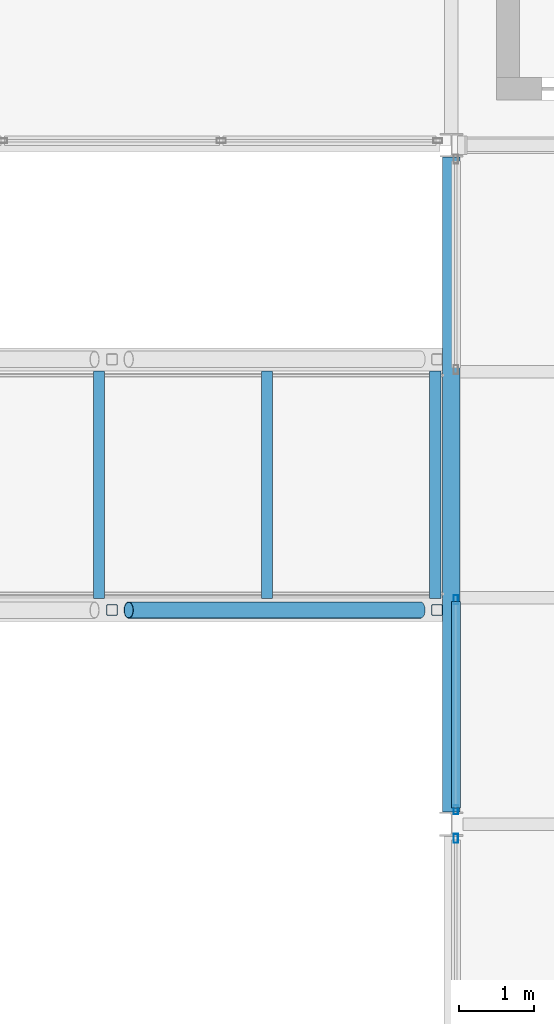
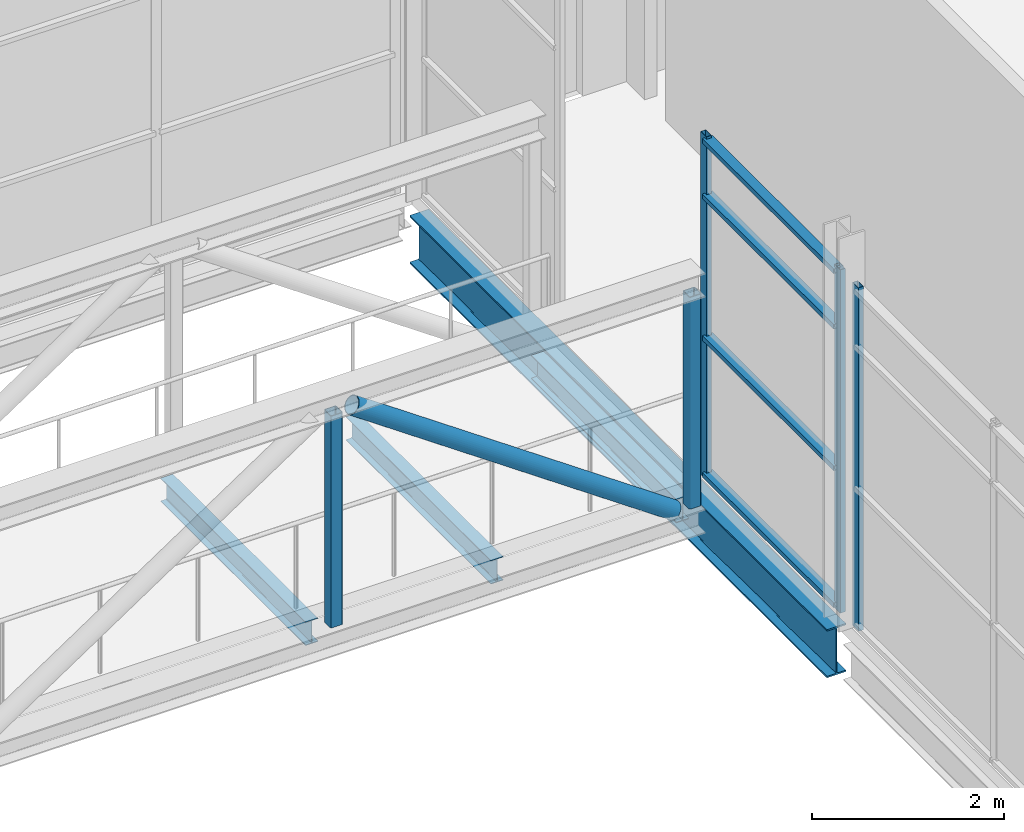
# One storey, part 49 of 94: 10 members, 4 beams, 2 elements without a shape of their own.
"""IFC4 building model written with IfcOpenShell, lengths in metres."""

from ifc_helpers import new_model, si_unit, direction, frame, origin, origin_2d, place, context, subcontext, project, spatial, hollow_rectangle, hollow_circle, i_section, extrude, material, layer, layer_set, material_profile, profile_set, type_object, element, aggregate, save


model = new_model("IFC4")

# Units and contexts
model_context = context("Model", 3, precision=1e-05, world=origin(), true_north=direction((0.0, 1.0)))
body_context = subcontext(model_context, "Body", "Model", "MODEL_VIEW")
ifc_project = project(units=[si_unit("LENGTHUNIT", "METRE"), si_unit("AREAUNIT", "SQUARE_METRE"), si_unit("VOLUMEUNIT", "CUBIC_METRE"), si_unit("PLANEANGLEUNIT", "RADIAN"), si_unit("MASSUNIT", "GRAM", prefix="KILO")], contexts=[model_context])

# Site, building, storey
site_placement = place(None, origin())
site = spatial("IfcSite", under=ifc_project, at=site_placement, CompositionType="ELEMENT")
building_placement = place(site_placement, origin())
building = spatial("IfcBuilding", under=site, at=building_placement, Name="Shorebreak Coast Museum", CompositionType="ELEMENT")
storey_placement = place(building_placement, frame((0.0, 0.0, 31.0)))
storey = spatial("IfcBuildingStorey", under=building, at=storey_placement, Name="L05", CompositionType="ELEMENT", Elevation=31.0)

# Beams
ifc_material_1 = material(Name="Steel Grade 300", Category="steel")
ifc_material_profile_1 = material_profile(ifc_material_1, i_section(OverallWidth=0.14892578125, OverallDepth=0.298095703125, WebThickness=0.005615234375, FlangeThickness=0.008056640625, FilletRadius=0.012939453125, at=origin_2d()), Name="310UB32.0")
ifc_profile_set_1 = profile_set([ifc_material_profile_1], Name="Steel Grade 300")
beam_type_1 = type_object("IfcBeamType", Name="Atrium bridge cross beam 310UB32.0", PredefinedType="BEAM", material=ifc_profile_set_1)
for number, where, z_axis, x_axis, name in (
    (1, (103.328369140625, 74.989990234375, -0.323974609375), (0.0, 1.0, 0.0), (-1.0, 0.0, 0.0), "Atrium bridge cross beam BR3 19"),
    (2, (105.556884765625, 74.989990234375, -0.323974609375), (0.0, 1.0, 0.0), (-1.0, 0.0, 0.0), "Atrium bridge cross beam BR3 20"),
    (3, (107.785400390625, 74.989990234375, -0.323974609375), (0.0, 1.0, 0.0), (-1.0, 0.0, 0.0), "Atrium bridge cross beam BR3 21"),
):
    element("IfcBeam", number, at=place(storey_placement, frame(where, z_axis=z_axis, x_axis=x_axis)), inside=storey, type_object=beam_type_1, Name=name, PredefinedType="BEAM", context=body_context, shape_type="SweptSolid", body=[
        extrude(i_section(OverallWidth=0.14892578125, OverallDepth=0.298095703125, WebThickness=0.005615234375, FlangeThickness=0.008056640625, FilletRadius=0.012939453125, at=origin_2d()), origin(), (0.0, 0.0, 1.0), 3.02001953125),
    ])

# Members
ifc_material_2 = material(Name="Steel Grade C350L0", Category="steel")
ifc_material_profile_2 = material_profile(ifc_material_2, hollow_circle(Radius=0.109619140625, WallThickness=0.00830078125, at=origin_2d()), Name="219.1x8.2 CHS")
ifc_profile_set_2 = profile_set([ifc_material_profile_2], Name="Steel Grade C350L0")
member_type_1 = type_object("IfcMemberType", Name="Atrium bridge truss diagonal 219.1x8.2 CHS", PredefinedType="BRACE", material=ifc_profile_set_2)
member_1_placement = place(storey_placement, frame((107.589111328125, 74.83740234375, -0.175048828125), z_axis=(-0.820764739415, 0.0, 0.571266349904), x_axis=(0.0, -1.0, 0.0)))
element("IfcMember", 4, at=member_1_placement, inside=storey, type_object=member_type_1, Name="Atrium bridge truss BR3 side A diagonal D10", PredefinedType="BRACE", context=body_context, shape_type="SweptSolid", body=[
    extrude(hollow_circle(Radius=0.109619140625, WallThickness=0.00830078125, at=origin_2d()), origin(), (0.0, 0.0, 1.0), 4.712646484375),
])
ifc_material_3 = material(Name="Steel Grade C450L0", Category="steel")
ifc_material_profile_3 = material_profile(ifc_material_3, hollow_rectangle(XDim=0.14990234375, YDim=0.14990234375, WallThickness=0.009033203125, InnerFilletRadius=0.013427734375, OuterFilletRadius=0.0224609375, at=origin_2d()), Name="150x150x9.0 SHS")
ifc_profile_set_3 = profile_set([ifc_material_profile_3], Name="Steel Grade C450L0")
member_type_2 = type_object("IfcMemberType", Name="Atrium bridge truss strut 150x150x9.0 SHS", PredefinedType="STRUT", material=ifc_profile_set_3)
for number, where, z_axis, x_axis, name in (
    (5, (103.5, 74.83740234375, -0.175048828125), (0.0, 0.0, 1.0), (1.0, 0.0, 0.0), "Atrium bridge truss BR3 side A strut V10"),
    (6, (107.810546875, 74.83740234375, -0.175048828125), (0.0, 0.0, 1.0), (1.0, 0.0, 0.0), "Atrium bridge truss BR3 side A strut V11"),
):
    element("IfcMember", number, at=place(storey_placement, frame(where, z_axis=z_axis, x_axis=x_axis)), inside=storey, type_object=member_type_2, Name=name, PredefinedType="STRUT", context=body_context, shape_type="SweptSolid", body=[
        extrude(hollow_rectangle(XDim=0.14990234375, YDim=0.14990234375, WallThickness=0.009033203125, InnerFilletRadius=0.013427734375, OuterFilletRadius=0.0224609375, at=origin_2d()), origin(), (0.0, 0.0, 1.0), 2.692138671875),
    ])

# Beam
ifc_material_4 = material(Name="Steel Grade 300", Category="steel")
ifc_material_profile_4 = material_profile(ifc_material_4, i_section(OverallWidth=0.22900390625, OverallDepth=0.612060546875, WebThickness=0.011962890625, FlangeThickness=0.01953125, FilletRadius=0.013916015625, at=origin_2d()), Name="610UB125")
ifc_profile_set_4 = profile_set([ifc_material_profile_4], Name="Steel Grade 300")
beam_type_2 = type_object("IfcBeamType", Name="Bearing girder north-south 610UB125", PredefinedType="BEAM", material=ifc_profile_set_4)
beam_placement = place(storey_placement, frame((108.0, 72.1572265625, -0.48095703125), z_axis=(0.0, 1.0, 0.0), x_axis=(-1.0, 0.0, 0.0)))
element("IfcBeam", 7, at=beam_placement, inside=storey, type_object=beam_type_2, Name="Bearing girder north-south L05 13J", PredefinedType="BEAM", context=body_context, shape_type="SweptSolid", body=[
    extrude(i_section(OverallWidth=0.22900390625, OverallDepth=0.612060546875, WebThickness=0.011962890625, FlangeThickness=0.01953125, FilletRadius=0.013916015625, at=origin_2d()), origin(), (0.0, 0.0, 1.0), 8.685546875),
])

# Curtain wall, member
ifc_material_5 = material(Name="Aluminium", Category="aluminium")
ifc_layer = layer(ifc_material_5, 0.1201171875)
ifc_layer_set = layer_set([ifc_layer], Name="Aluminium")
curtain_wall_type = type_object("IfcCurtainWallType", Name="Atrium fire screen", PredefinedType="NOTDEFINED", material=ifc_layer_set)
curtain_wall_1_placement = place(storey_placement, origin())
curtain_wall_1 = element("IfcCurtainWall", 8, at=curtain_wall_1_placement, inside=storey, type_object=curtain_wall_type, Name="Atrium screen L05 E 76", PredefinedType="NOTDEFINED")
ifc_material_6 = material(Name="Aluminium", Category="aluminium")
ifc_material_profile_5 = material_profile(ifc_material_6, hollow_rectangle(XDim=0.06005859375, YDim=0.1201171875, WallThickness=0.00341796875, at=origin_2d()), Name="AL 120x60 RHS")
ifc_profile_set_5 = profile_set([ifc_material_profile_5], Name="Aluminium")
member_type_3 = type_object("IfcMemberType", Name="Screen mullion 50 x 120", PredefinedType="MULLION", material=ifc_profile_set_5)
member_2_placement = place(storey_placement, frame((108.06005859375, 71.811279296875, 0.0), z_axis=(0.0, 0.0, 1.0), x_axis=(-1.0, 0.0, 0.0)))
member_2 = element("IfcMember", 9, at=member_2_placement, type_object=member_type_3, Name="CW5 mullion 4", PredefinedType="MULLION", context=body_context, shape_type="SweptSolid", body=[
    extrude(hollow_rectangle(XDim=0.06005859375, YDim=0.1201171875, WallThickness=0.00341796875, at=origin_2d()), origin(), (0.0, 0.0, 1.0), 4.364501953125),
])
aggregate(curtain_wall_1, [member_2])

# Curtain wall, members
curtain_wall_2_placement = place(storey_placement, origin())
curtain_wall_2 = element("IfcCurtainWall", 10, at=curtain_wall_2_placement, inside=storey, type_object=curtain_wall_type, Name="Atrium screen L05 E 77", PredefinedType="NOTDEFINED")
member_3_placement = place(storey_placement, frame((108.06005859375, 72.188720703125, 0.0), z_axis=(0.0, 0.0, 1.0), x_axis=(-1.0, 0.0, 0.0)))
member_3 = element("IfcMember", 11, at=member_3_placement, type_object=member_type_3, Name="CW6 mullion 1", PredefinedType="MULLION", context=body_context, shape_type="SweptSolid", body=[
    extrude(hollow_rectangle(XDim=0.06005859375, YDim=0.1201171875, WallThickness=0.00341796875, at=origin_2d()), origin(), (0.0, 0.0, 1.0), 4.364501953125),
])
member_4_placement = place(storey_placement, frame((108.06005859375, 74.97509765625, 0.0), z_axis=(0.0, 0.0, 1.0), x_axis=(-1.0, 0.0, 0.0)))
member_4 = element("IfcMember", 12, at=member_4_placement, type_object=member_type_3, Name="CW6 mullion 2", PredefinedType="MULLION", context=body_context, shape_type="SweptSolid", body=[
    extrude(hollow_rectangle(XDim=0.06005859375, YDim=0.1201171875, WallThickness=0.00341796875, at=origin_2d()), origin(), (0.0, 0.0, 1.0), 4.364501953125),
])
ifc_material_7 = material(Name="Aluminium", Category="aluminium")
ifc_material_profile_6 = material_profile(ifc_material_7, hollow_rectangle(XDim=0.1201171875, YDim=0.06005859375, WallThickness=0.00341796875, at=origin_2d()), Name="AL 60x120 RHS")
ifc_profile_set_6 = profile_set([ifc_material_profile_6], Name="Aluminium")
member_type_4 = type_object("IfcMemberType", Name="Screen transom 120 x 50", PredefinedType="USERDEFINED", material=ifc_profile_set_6)
member_5_placement = place(storey_placement, frame((108.06005859375, 72.213623046875, 0.06005859375), z_axis=(0.0, 1.0, 0.0), x_axis=(-1.0, 0.0, 0.0)))
member_5 = element("IfcMember", 13, at=member_5_placement, type_object=member_type_4, Name="CW6 transom 1.1", ObjectType="TRANSOM", PredefinedType="USERDEFINED", context=body_context, shape_type="SweptSolid", body=[
    extrude(hollow_rectangle(XDim=0.1201171875, YDim=0.06005859375, WallThickness=0.00341796875, at=origin_2d()), origin(), (0.0, 0.0, 1.0), 2.736328125),
])
member_6_placement = place(storey_placement, frame((108.06005859375, 72.213623046875, 1.800048828125), z_axis=(0.0, 1.0, 0.0), x_axis=(-1.0, 0.0, 0.0)))
member_6 = element("IfcMember", 14, at=member_6_placement, type_object=member_type_4, Name="CW6 transom 1.2", ObjectType="TRANSOM", PredefinedType="USERDEFINED", context=body_context, shape_type="SweptSolid", body=[
    extrude(hollow_rectangle(XDim=0.1201171875, YDim=0.06005859375, WallThickness=0.00341796875, at=origin_2d()), origin(), (0.0, 0.0, 1.0), 2.736328125),
])
member_7_placement = place(storey_placement, frame((108.06005859375, 72.213623046875, 3.60009765625), z_axis=(0.0, 1.0, 0.0), x_axis=(-1.0, 0.0, 0.0)))
member_7 = element("IfcMember", 15, at=member_7_placement, type_object=member_type_4, Name="CW6 transom 1.3", ObjectType="TRANSOM", PredefinedType="USERDEFINED", context=body_context, shape_type="SweptSolid", body=[
    extrude(hollow_rectangle(XDim=0.1201171875, YDim=0.06005859375, WallThickness=0.00341796875, at=origin_2d()), origin(), (0.0, 0.0, 1.0), 2.736328125),
])
member_8_placement = place(storey_placement, frame((108.06005859375, 72.213623046875, 4.3046875), z_axis=(0.0, 1.0, 0.0), x_axis=(-1.0, 0.0, 0.0)))
member_8 = element("IfcMember", 16, at=member_8_placement, type_object=member_type_4, Name="CW6 transom 1.4", ObjectType="TRANSOM", PredefinedType="USERDEFINED", context=body_context, shape_type="SweptSolid", body=[
    extrude(hollow_rectangle(XDim=0.1201171875, YDim=0.06005859375, WallThickness=0.00341796875, at=origin_2d()), origin(), (0.0, 0.0, 1.0), 2.736328125),
])
aggregate(curtain_wall_2, [member_3, member_4, member_5, member_6, member_7, member_8])

save(model, "model.ifc")
